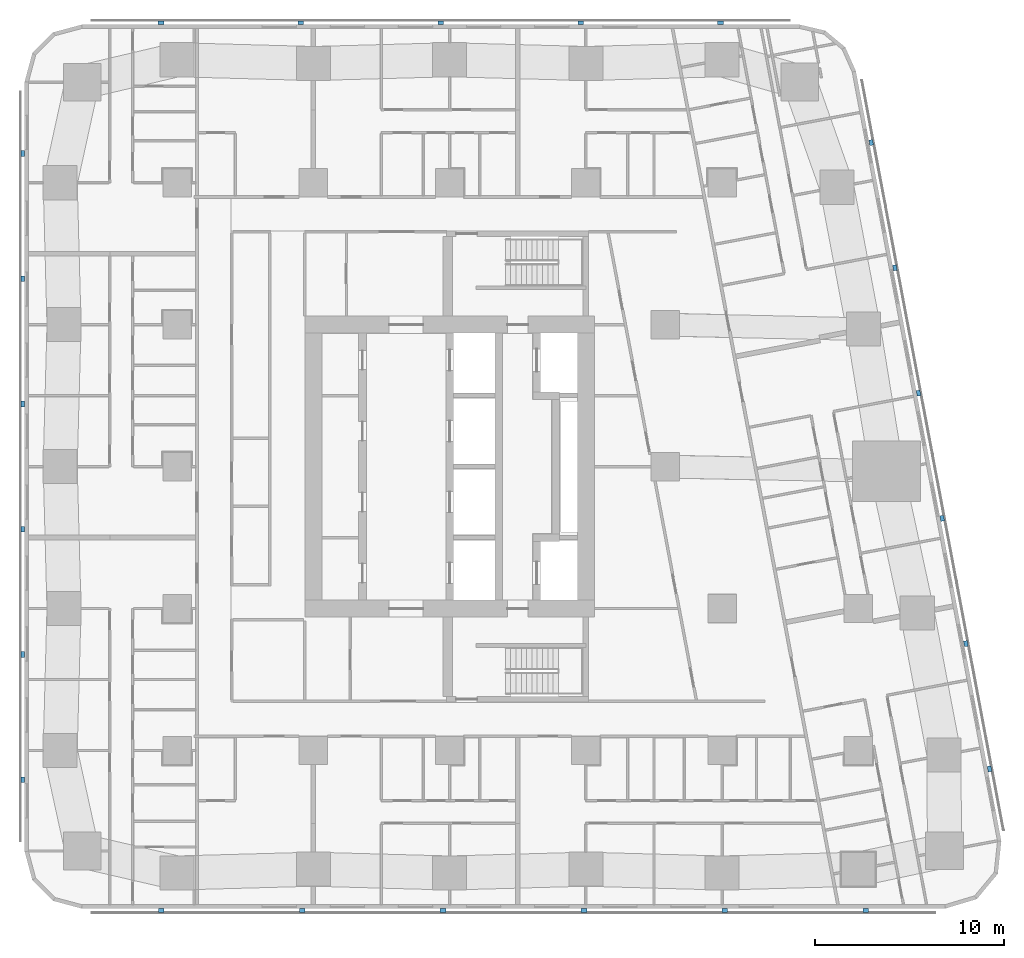
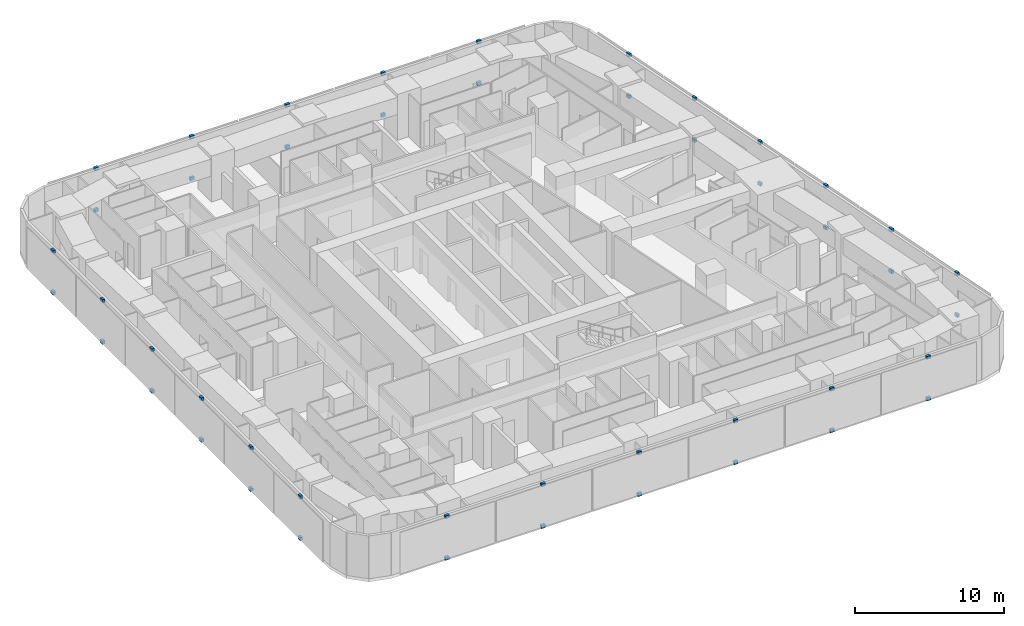
# One storey, part 12 of 15: 46 discrete accessories.
"""IFC4 building model written with IfcOpenShell, lengths in metres."""

from ifc_helpers import new_model, si_unit, direction, frame, origin, origin_2d, place, context, subcontext, project, spatial, rectangle, extrude, material, type_object, element, save


model = new_model("IFC4")

# Units and contexts
model_context = context("Model", 3, precision=1e-05, world=origin(), true_north=direction((0.0, 1.0)))
body_context = subcontext(model_context, "Body", "Model", "MODEL_VIEW")
ifc_project = project(units=[si_unit("LENGTHUNIT", "METRE"), si_unit("AREAUNIT", "SQUARE_METRE"), si_unit("VOLUMEUNIT", "CUBIC_METRE"), si_unit("PLANEANGLEUNIT", "RADIAN"), si_unit("MASSUNIT", "GRAM", prefix="KILO")], contexts=[model_context])

# Site, building, storey
site_placement = place(None, origin())
site = spatial("IfcSite", under=ifc_project, at=site_placement, CompositionType="ELEMENT")
building_placement = place(site_placement, origin())
building = spatial("IfcBuilding", under=site, at=building_placement, Name="Sheger Commons Tower", CompositionType="ELEMENT")
storey_placement = place(building_placement, frame((0.0, 0.0, 150.800048828125)))
storey = spatial("IfcBuildingStorey", under=building, at=storey_placement, Name="L38", CompositionType="ELEMENT", Elevation=150.800048828125)

# Discrete accessories
ifc_material = material(Name="Black painted steel bracket", Category="steel")
discrete_accessory_type = type_object("IfcDiscreteAccessoryType", Name="SCREEN BRACKET 300x200x250", PredefinedType="BRACKET", material=ifc_material)
for number, where, z_axis, x_axis, name in (
    (1, (6.37109375, -0.949951171875, -0.10009765625), (0.0, 0.0, 1.0), (1.0, 0.0, 0.0), "Solar screen foot bracket"),
    (2, (6.37109375, -0.949951171875, 3.300048828125), (0.0, 0.0, 1.0), (1.0, 0.0, 0.0), "Solar screen head bracket"),
    (3, (13.81396484375, -0.949951171875, -0.10009765625), (0.0, 0.0, 1.0), (1.0, 0.0, 0.0), "Solar screen foot bracket"),
    (4, (13.81396484375, -0.949951171875, 3.300048828125), (0.0, 0.0, 1.0), (1.0, 0.0, 0.0), "Solar screen head bracket"),
    (5, (21.257080078125, -0.949951171875, -0.10009765625), (0.0, 0.0, 1.0), (1.0, 0.0, 0.0), "Solar screen foot bracket"),
    (6, (21.257080078125, -0.949951171875, 3.300048828125), (0.0, 0.0, 1.0), (1.0, 0.0, 0.0), "Solar screen head bracket"),
    (7, (28.698974609375, -0.949951171875, -0.10009765625), (0.0, 0.0, 1.0), (1.0, 0.0, 0.0), "Solar screen foot bracket"),
    (8, (28.698974609375, -0.949951171875, 3.300048828125), (0.0, 0.0, 1.0), (1.0, 0.0, 0.0), "Solar screen head bracket"),
    (9, (36.14208984375, -0.949951171875, -0.10009765625), (0.0, 0.0, 1.0), (1.0, 0.0, 0.0), "Solar screen foot bracket"),
    (10, (36.14208984375, -0.949951171875, 3.300048828125), (0.0, 0.0, 1.0), (1.0, 0.0, 0.0), "Solar screen head bracket"),
    (11, (43.5849609375, -0.949951171875, -0.10009765625), (0.0, 0.0, 1.0), (1.0, 0.0, 0.0), "Solar screen foot bracket"),
    (12, (43.5849609375, -0.949951171875, 3.300048828125), (0.0, 0.0, 1.0), (1.0, 0.0, 0.0), "Solar screen head bracket"),
    (13, (50.134033203125, 6.527099609375, -0.10009765625), (0.0, 0.0, 1.0), (-0.185615165645, 0.982622516678, 0.0), "Solar screen foot bracket"),
    (14, (50.134033203125, 6.527099609375, 3.300048828125), (0.0, 0.0, 1.0), (-0.185615165645, 0.982622516678, 0.0), "Solar screen head bracket"),
    (15, (48.884033203125, 13.14599609375, -0.10009765625), (0.0, 0.0, 1.0), (-0.185615165645, 0.982622516678, 0.0), "Solar screen foot bracket"),
    (16, (48.884033203125, 13.14599609375, 3.300048828125), (0.0, 0.0, 1.0), (-0.185615165645, 0.982622516678, 0.0), "Solar screen head bracket"),
    (17, (47.633056640625, 19.76611328125, -0.10009765625), (0.0, 0.0, 1.0), (-0.185615165645, 0.982622516678, 0.0), "Solar screen foot bracket"),
    (18, (47.633056640625, 19.76611328125, 3.300048828125), (0.0, 0.0, 1.0), (-0.185615165645, 0.982622516678, 0.0), "Solar screen head bracket"),
    (19, (46.383056640625, 26.385009765625, -0.10009765625), (0.0, 0.0, 1.0), (-0.185615165645, 0.982622516678, 0.0), "Solar screen foot bracket"),
    (20, (46.383056640625, 26.385009765625, 3.300048828125), (0.0, 0.0, 1.0), (-0.185615165645, 0.982622516678, 0.0), "Solar screen head bracket"),
    (21, (45.133056640625, 33.0048828125, -0.10009765625), (0.0, 0.0, 1.0), (-0.185615165645, 0.982622516678, 0.0), "Solar screen foot bracket"),
    (22, (45.133056640625, 33.0048828125, 3.300048828125), (0.0, 0.0, 1.0), (-0.185615165645, 0.982622516678, 0.0), "Solar screen head bracket"),
    (23, (43.882080078125, 39.6240234375, -0.10009765625), (0.0, 0.0, 1.0), (-0.185615165645, 0.982622516678, 0.0), "Solar screen foot bracket"),
    (24, (43.882080078125, 39.6240234375, 3.300048828125), (0.0, 0.0, 1.0), (-0.185615165645, 0.982622516678, 0.0), "Solar screen head bracket"),
    (25, (35.9208984375, 45.949951171875, -0.10009765625), (0.0, 0.0, 1.0), (-1.0, 0.0, 0.0), "Solar screen foot bracket"),
    (26, (35.9208984375, 45.949951171875, 3.300048828125), (0.0, 0.0, 1.0), (-1.0, 0.0, 0.0), "Solar screen head bracket"),
    (27, (28.528076171875, 45.949951171875, -0.10009765625), (0.0, 0.0, 1.0), (-1.0, 0.0, 0.0), "Solar screen foot bracket"),
    (28, (28.528076171875, 45.949951171875, 3.300048828125), (0.0, 0.0, 1.0), (-1.0, 0.0, 0.0), "Solar screen head bracket"),
    (29, (21.134033203125, 45.949951171875, -0.10009765625), (0.0, 0.0, 1.0), (-1.0, 0.0, 0.0), "Solar screen foot bracket"),
    (30, (21.134033203125, 45.949951171875, 3.300048828125), (0.0, 0.0, 1.0), (-1.0, 0.0, 0.0), "Solar screen head bracket"),
    (31, (13.739990234375, 45.949951171875, -0.10009765625), (0.0, 0.0, 1.0), (-1.0, 0.0, 0.0), "Solar screen foot bracket"),
    (32, (13.739990234375, 45.949951171875, 3.300048828125), (0.0, 0.0, 1.0), (-1.0, 0.0, 0.0), "Solar screen head bracket"),
    (33, (6.346923828125, 45.949951171875, -0.10009765625), (0.0, 0.0, 1.0), (-1.0, 0.0, 0.0), "Solar screen foot bracket"),
    (34, (6.346923828125, 45.949951171875, 3.300048828125), (0.0, 0.0, 1.0), (-1.0, 0.0, 0.0), "Solar screen head bracket"),
    (35, (-0.949951171875, 39.0419921875, -0.10009765625), (0.0, 0.0, 1.0), (0.0, -1.0, 0.0), "Solar screen foot bracket"),
    (36, (-0.949951171875, 39.0419921875, 3.300048828125), (0.0, 0.0, 1.0), (0.0, -1.0, 0.0), "Solar screen head bracket"),
    (37, (-0.949951171875, 32.425048828125, -0.10009765625), (0.0, 0.0, 1.0), (0.0, -1.0, 0.0), "Solar screen foot bracket"),
    (38, (-0.949951171875, 32.425048828125, 3.300048828125), (0.0, 0.0, 1.0), (0.0, -1.0, 0.0), "Solar screen head bracket"),
    (39, (-0.949951171875, 25.80810546875, -0.10009765625), (0.0, 0.0, 1.0), (0.0, -1.0, 0.0), "Solar screen foot bracket"),
    (40, (-0.949951171875, 25.80810546875, 3.300048828125), (0.0, 0.0, 1.0), (0.0, -1.0, 0.0), "Solar screen head bracket"),
    (41, (-0.949951171875, 19.19189453125, -0.10009765625), (0.0, 0.0, 1.0), (0.0, -1.0, 0.0), "Solar screen foot bracket"),
    (42, (-0.949951171875, 19.19189453125, 3.300048828125), (0.0, 0.0, 1.0), (0.0, -1.0, 0.0), "Solar screen head bracket"),
    (43, (-0.949951171875, 12.574951171875, -0.10009765625), (0.0, 0.0, 1.0), (0.0, -1.0, 0.0), "Solar screen foot bracket"),
    (44, (-0.949951171875, 12.574951171875, 3.300048828125), (0.0, 0.0, 1.0), (0.0, -1.0, 0.0), "Solar screen head bracket"),
    (45, (-0.949951171875, 5.9580078125, -0.10009765625), (0.0, 0.0, 1.0), (0.0, -1.0, 0.0), "Solar screen foot bracket"),
    (46, (-0.949951171875, 5.9580078125, 3.300048828125), (0.0, 0.0, 1.0), (0.0, -1.0, 0.0), "Solar screen head bracket"),
):
    element("IfcDiscreteAccessory", number, at=place(storey_placement, frame(where, z_axis=z_axis, x_axis=x_axis)), inside=storey, type_object=discrete_accessory_type, Name=name, PredefinedType="BRACKET", context=body_context, shape_type="SweptSolid", body=[
        extrude(rectangle(XDim=0.300048828125, YDim=0.199951171875, at=origin_2d()), origin(), (0.0, 0.0, 1.0), 0.25),
    ])

save(model, "model.ifc")
